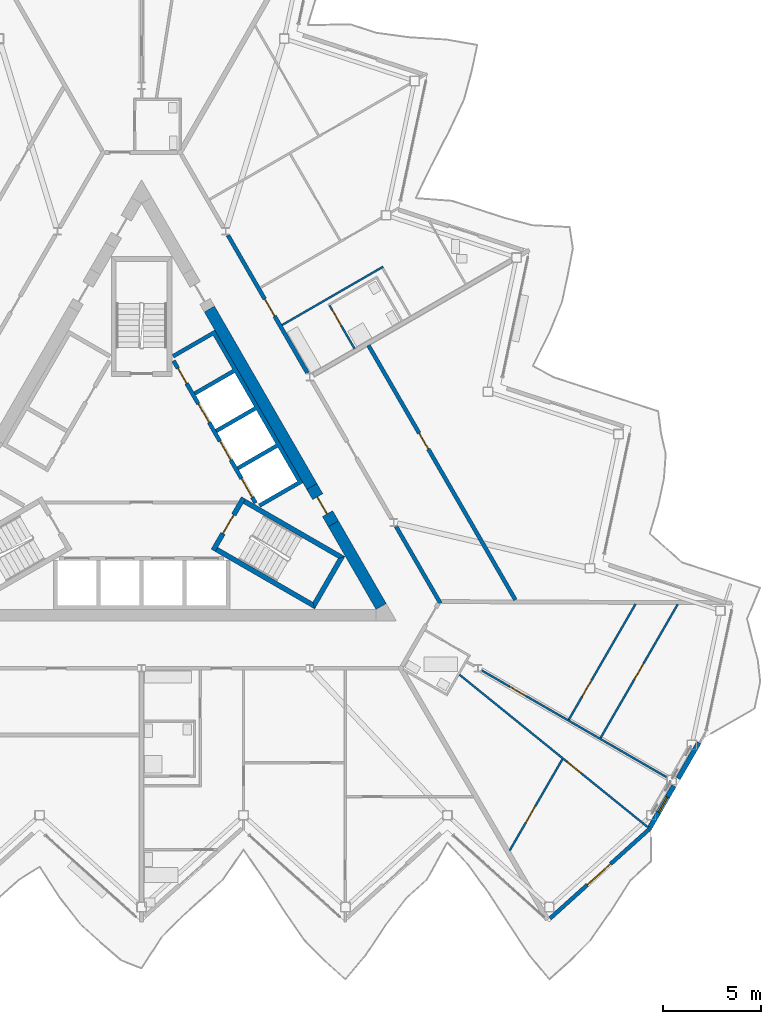
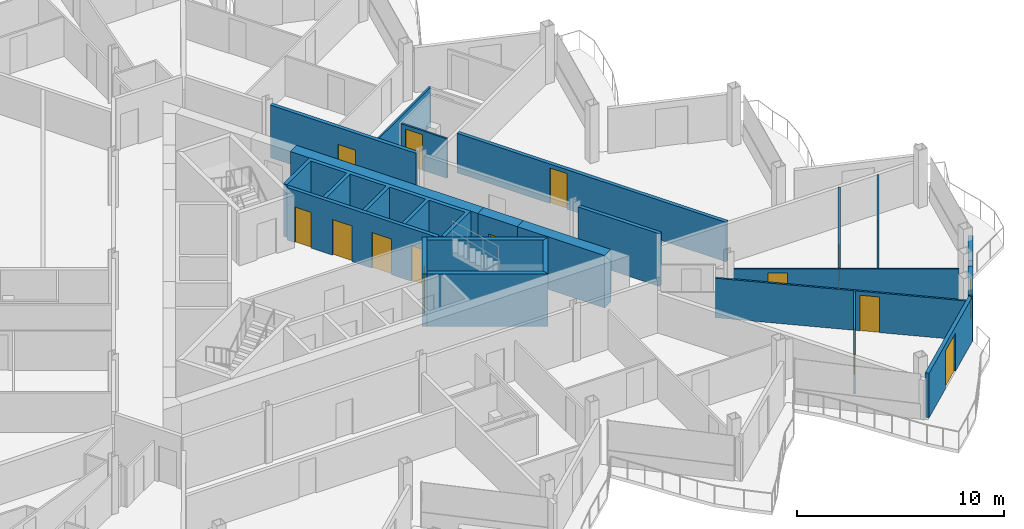
# One storey, part 15 of 26: 22 walls, 15 doors, 1 window, 16 openings.
"""IFC4 building model written with IfcOpenShell, lengths in metres."""

from ifc_helpers import new_model, si_unit, direction, frame, frame_2d, origin, place, context, subcontext, project, spatial, polyline, rectangle, outline, extrude, material, layer, layer_set, type_object, element, fill, save


model = new_model("IFC4")

# Units and contexts
model_context = context("Model", 3, precision=1e-05, world=origin(), true_north=direction((0.0, 1.0)))
body_context = subcontext(model_context, "Body", "Model", "MODEL_VIEW")
ifc_project = project(units=[si_unit("LENGTHUNIT", "METRE"), si_unit("AREAUNIT", "SQUARE_METRE"), si_unit("VOLUMEUNIT", "CUBIC_METRE"), si_unit("PLANEANGLEUNIT", "RADIAN"), si_unit("MASSUNIT", "GRAM", prefix="KILO")], contexts=[model_context])

# Site, building, storey
site_placement = place(None, origin())
site = spatial("IfcSite", under=ifc_project, at=site_placement, CompositionType="ELEMENT")
building_placement = place(site_placement, origin())
building = spatial("IfcBuilding", under=site, at=building_placement, Name="Cormorant Prow Tower", CompositionType="ELEMENT")
storey_placement = place(building_placement, frame((0.0, 0.0, 367.800048828125)))
storey = spatial("IfcBuildingStorey", under=building, at=storey_placement, Name="L82", CompositionType="ELEMENT", Elevation=367.800048828125)

# Walls
ifc_material_1 = material(Name="Concrete 8000 psi", Category="concrete")
ifc_layer_1 = layer(ifc_material_1, 0.60009765625)
ifc_layer_set_1 = layer_set([ifc_layer_1], Name="Concrete 8000 psi")
wall_type_1 = type_object("IfcWallType", Name="Core shear wall 600", PredefinedType="SHEAR", material=ifc_layer_set_1)
wall_1_placement = place(storey_placement, frame((8.686279296875, -0.6337890625, 0.0), z_axis=(0.0, 0.0, 1.0), x_axis=(-0.50001836461, 0.866014800712, 0.0)))
element("IfcWall", 1, at=wall_1_placement, inside=storey, type_object=wall_type_1, Name="Core wall", PredefinedType="SHEAR", context=body_context, shape_type="SweptSolid", body=[
    extrude(rectangle(XDim=10.45068359375, YDim=0.60009765625, at=frame_2d((5.225341796875, 0.0))), origin(), (0.0, 0.0, 1.0), 3.099853515625),
])
wall_2_placement = place(storey_placement, frame((12.220703125, -6.755615234375, 0.0), z_axis=(0.0, 0.0, 1.0), x_axis=(-0.50000604952, 0.866021911064, 0.0)))
element("IfcWall", 2, at=wall_2_placement, inside=storey, type_object=wall_type_1, Name="Core wall", PredefinedType="SHEAR", context=body_context, shape_type="SweptSolid", body=[
    extrude(rectangle(XDim=4.86865234375, YDim=0.60009765625, at=frame_2d((2.434326171875, 0.0))), origin(), (0.0, 0.0, 1.0), 3.099853515625),
])

# Wall, opening, door
wall_3_placement = place(storey_placement, frame((9.786376953125, -2.539306640625, 0.0), z_axis=(0.0, 0.0, 1.0), x_axis=(-0.499981787252, 0.866035918664, 0.0)))
wall_3 = element("IfcWall", 3, at=wall_3_placement, inside=storey, type_object=wall_type_1, Name="Core wall door panel", PredefinedType="SHEAR", context=body_context, shape_type="SweptSolid", body=[
    extrude(rectangle(XDim=2.2001953125, YDim=0.60009765625, at=frame_2d((1.10009765625, 0.0))), origin(), (0.0, 0.0, 1.0), 3.099853515625),
])
opening_1_placement = place(wall_3_placement, frame((0.60009765625, 0.0, 0.0)))
opening_1 = element("IfcOpeningElement", 4, at=opening_1_placement, cuts=wall_3, Name="Opening L82-C16", PredefinedType="OPENING", context=body_context, shape_type="SweptSolid", body=[
    extrude(rectangle(XDim=1.0, YDim=2.10009765625, at=frame_2d((0.5, 1.050048828125))), frame((0.0, 0.31005859375, 0.0), z_axis=(0.0, -1.0, 0.0), x_axis=(1.0, 0.0, 0.0)), (0.0, 0.0, 1.0), 0.6201171875),
])
ifc_material_2 = material(Name="Painted steel", Category="steel")
door_type_1 = type_object("IfcDoorType", Name="Service door 1000x2100", OperationType="NOTDEFINED", PredefinedType="DOOR", material=ifc_material_2)
door_1_placement = place(opening_1_placement, origin())
door_1 = element("IfcDoor", 5, at=door_1_placement, inside=storey, type_object=door_type_1, Name="Core door, Telecom room", OperationType="SINGLE_SWING_LEFT", OverallHeight=2.10009765625, OverallWidth=1.0, PredefinedType="DOOR", context=body_context, shape_type="SweptSolid", body=[
    extrude(rectangle(XDim=1.0, YDim=2.10009765625, at=frame_2d((0.5, 1.050048828125))), frame((0.0, 0.05517578125, 0.0), z_axis=(0.0, -1.0, 0.0), x_axis=(1.0, 0.0, 0.0)), (0.0, 0.0, 1.0), 0.050048828125),
])
fill(opening_1, door_1)

ifc_material_3 = material(Name="Gypsum board corridor wall")
ifc_layer_2 = layer(ifc_material_3, 0.199951171875)
ifc_layer_set_2 = layer_set([ifc_layer_2], Name="Gypsum board corridor wall")
wall_type_2 = type_object("IfcWallType", Name="Corridor wall 200", PredefinedType="PARTITIONING", material=ifc_layer_set_2)
wall_4_placement = place(storey_placement, frame((4.403076171875, 12.184814453125, 0.0), z_axis=(0.0, 0.0, 1.0), x_axis=(0.499992155518, -0.866029932751, 0.0)))
wall_4 = element("IfcWall", 6, at=wall_4_placement, inside=storey, type_object=wall_type_2, Name="Corridor wall", PredefinedType="PARTITIONING", context=body_context, shape_type="SweptSolid", body=[
    extrude(rectangle(XDim=8.123291015625, YDim=0.199951171875, at=frame_2d((4.0615234375, 0.0))), origin(), (0.0, 0.0, 1.0), 3.099853515625),
])
opening_2_placement = place(wall_4_placement, frame((3.762451171875, 0.0, 0.0)))
opening_2 = element("IfcOpeningElement", 7, at=opening_2_placement, cuts=wall_4, Name="Opening L82-F20", PredefinedType="OPENING", context=body_context, shape_type="SweptSolid", body=[
    extrude(rectangle(XDim=1.0, YDim=2.10009765625, at=frame_2d((0.5, 1.050048828125))), frame((0.0, 0.10986328125, 0.0), z_axis=(0.0, -1.0, 0.0), x_axis=(1.0, 0.0, 0.0)), (0.0, 0.0, 1.0), 0.219970703125),
])
ifc_material_4 = material(Name="Timber door leaf", Category="wood")
door_type_2 = type_object("IfcDoorType", Name="Flat or room entrance door 1000x2100", OperationType="NOTDEFINED", PredefinedType="DOOR", material=ifc_material_4)
door_2_placement = place(opening_2_placement, origin())
door_2 = element("IfcDoor", 8, at=door_2_placement, inside=storey, type_object=door_type_2, Name="Living room door", OperationType="SINGLE_SWING_LEFT", OverallHeight=2.10009765625, OverallWidth=1.0, PredefinedType="DOOR", context=body_context, shape_type="SweptSolid", body=[
    extrude(rectangle(XDim=1.0, YDim=2.10009765625, at=frame_2d((0.5, 1.050048828125))), frame((0.0, 0.02490234375, 0.0), z_axis=(0.0, -1.0, 0.0), x_axis=(1.0, 0.0, 0.0)), (0.0, 0.0, 1.0), 0.050048828125),
])
fill(opening_2, door_2)

# Wall
wall_5_placement = place(storey_placement, frame((12.9814453125, -2.67333984375, 0.0), z_axis=(0.0, 0.0, 1.0), x_axis=(0.499974648164, -0.866040040179, 0.0)))
element("IfcWall", 9, at=wall_5_placement, inside=storey, type_object=wall_type_2, Name="Corridor wall", PredefinedType="PARTITIONING", context=body_context, shape_type="SweptSolid", body=[
    extrude(rectangle(XDim=4.525146484375, YDim=0.199951171875, at=frame_2d((2.2626953125, 0.0))), origin(), (0.0, 0.0, 1.0), 3.099853515625),
])

# Wall, opening, door
ifc_material_5 = material(Name="Gypsum board demising wall")
ifc_layer_3 = layer(ifc_material_5, 0.199951171875)
ifc_layer_set_3 = layer_set([ifc_layer_3], Name="Gypsum board demising wall")
wall_type_3 = type_object("IfcWallType", Name="Demising wall 200", PredefinedType="PARTITIONING", material=ifc_layer_set_3)
wall_6_placement = place(storey_placement, frame((11.572998046875, 6.566162109375, 0.0), z_axis=(0.0, 0.0, 1.0), x_axis=(0.499993542657, -0.866029131901, 0.0)))
wall_6 = element("IfcWall", 10, at=wall_6_placement, inside=storey, type_object=wall_type_3, Name="Demising wall", PredefinedType="PARTITIONING", context=body_context, shape_type="SweptSolid", body=[
    extrude(rectangle(XDim=14.993896484375, YDim=0.199951171875, at=frame_2d((7.4970703125, 0.0))), origin(), (0.0, 0.0, 1.0), 2.330078125),
])
opening_3_placement = place(wall_6_placement, frame((5.166015625, 0.0, 0.0)))
opening_3 = element("IfcOpeningElement", 11, at=opening_3_placement, cuts=wall_6, Name="Opening L82-F19", PredefinedType="OPENING", context=body_context, shape_type="SweptSolid", body=[
    extrude(rectangle(XDim=0.949951171875, YDim=2.10009765625, at=frame_2d((0.47509765625, 1.050048828125))), frame((0.0, 0.10986328125, 0.0), z_axis=(0.0, -1.0, 0.0), x_axis=(1.0, 0.0, 0.0)), (0.0, 0.0, 1.0), 0.219970703125),
])
ifc_material_6 = material(Name="Timber door leaf", Category="wood")
door_type_3 = type_object("IfcDoorType", Name="Store door 950x2100", OperationType="NOTDEFINED", PredefinedType="DOOR", material=ifc_material_6)
door_3_placement = place(opening_3_placement, origin())
door_3 = element("IfcDoor", 12, at=door_3_placement, inside=storey, type_object=door_type_3, Name="Refuse room door", OperationType="SINGLE_SWING_RIGHT", OverallHeight=2.10009765625, OverallWidth=0.949951171875, PredefinedType="DOOR", context=body_context, shape_type="SweptSolid", body=[
    extrude(rectangle(XDim=0.949951171875, YDim=2.10009765625, at=frame_2d((0.47509765625, 1.050048828125))), frame((0.0, 0.02490234375, 0.0), z_axis=(0.0, -1.0, 0.0), x_axis=(1.0, 0.0, 0.0)), (0.0, 0.0, 1.0), 0.050048828125),
])
fill(opening_3, door_3)

ifc_material_7 = material(Name="Gypsum board partition")
ifc_layer_4 = layer(ifc_material_7, 0.10009765625)
ifc_layer_set_4 = layer_set([ifc_layer_4], Name="Gypsum board partition")
wall_type_4 = type_object("IfcWallType", Name="Internal partition 100", PredefinedType="PARTITIONING", material=ifc_layer_set_4)
wall_7_placement = place(storey_placement, frame((16.2158203125, -10.234130859375, 0.0), z_axis=(0.0, 0.0, 1.0), x_axis=(0.777145059662, -0.629321504672, 0.0)))
wall_7 = element("IfcWall", 13, at=wall_7_placement, inside=storey, type_object=wall_type_4, Name="Internal partition", PredefinedType="PARTITIONING", context=body_context, shape_type="SweptSolid", body=[
    extrude(rectangle(XDim=12.58984375, YDim=0.10009765625, at=frame_2d((6.294921875, 0.0))), origin(), (0.0, 0.0, 1.0), 2.330078125),
])
opening_4_placement = place(wall_7_placement, frame((7.074462890625, 0.0, 0.0)))
opening_4 = element("IfcOpeningElement", 14, at=opening_4_placement, cuts=wall_7, Name="Opening L82-F16", PredefinedType="OPENING", context=body_context, shape_type="SweptSolid", body=[
    extrude(rectangle(XDim=0.949951171875, YDim=2.10009765625, at=frame_2d((0.47509765625, 1.050048828125))), frame((0.0, 0.06005859375, 0.0), z_axis=(0.0, -1.0, 0.0), x_axis=(1.0, 0.0, 0.0)), (0.0, 0.0, 1.0), 0.1201171875),
])
ifc_material_8 = material(Name="Timber door leaf", Category="wood")
door_type_4 = type_object("IfcDoorType", Name="Bathroom door 950x2100", OperationType="NOTDEFINED", PredefinedType="DOOR", material=ifc_material_8)
door_4_placement = place(opening_4_placement, origin())
door_4 = element("IfcDoor", 15, at=door_4_placement, inside=storey, type_object=door_type_4, Name="Bedroom door", OperationType="SINGLE_SWING_LEFT", OverallHeight=2.10009765625, OverallWidth=0.949951171875, PredefinedType="DOOR", context=body_context, shape_type="SweptSolid", body=[
    extrude(rectangle(XDim=0.949951171875, YDim=2.10009765625, at=frame_2d((0.47509765625, 1.050048828125))), frame((0.0, 0.02490234375, 0.0), z_axis=(0.0, -1.0, 0.0), x_axis=(1.0, 0.0, 0.0)), (0.0, 0.0, 1.0), 0.050048828125),
])
fill(opening_4, door_4)

wall_8_placement = place(storey_placement, frame((17.35400390625, -10.019287109375, 0.0), z_axis=(0.0, 0.0, 1.0), x_axis=(0.866019680922, -0.500009912158, 0.0)))
wall_8 = element("IfcWall", 16, at=wall_8_placement, inside=storey, type_object=wall_type_4, Name="Internal partition", PredefinedType="PARTITIONING", context=body_context, shape_type="SweptSolid", body=[
    extrude(rectangle(XDim=10.880615234375, YDim=0.10009765625, at=frame_2d((5.4404296875, 0.0))), origin(), (0.0, 0.0, 1.0), 2.330078125),
])
opening_5_placement = place(wall_8_placement, frame((1.654541015625, 0.0, 0.0)))
opening_5 = element("IfcOpeningElement", 17, at=opening_5_placement, cuts=wall_8, Name="Opening L82-F15", PredefinedType="OPENING", context=body_context, shape_type="SweptSolid", body=[
    extrude(rectangle(XDim=0.949951171875, YDim=2.10009765625, at=frame_2d((0.47509765625, 1.050048828125))), frame((0.0, 0.06005859375, 0.0), z_axis=(0.0, -1.0, 0.0), x_axis=(1.0, 0.0, 0.0)), (0.0, 0.0, 1.0), 0.1201171875),
])
door_5_placement = place(opening_5_placement, origin())
door_5 = element("IfcDoor", 18, at=door_5_placement, inside=storey, type_object=door_type_4, Name="Living room door", OperationType="SINGLE_SWING_LEFT", OverallHeight=2.10009765625, OverallWidth=0.949951171875, PredefinedType="DOOR", context=body_context, shape_type="SweptSolid", body=[
    extrude(rectangle(XDim=0.949951171875, YDim=2.10009765625, at=frame_2d((0.47509765625, 1.050048828125))), frame((0.0, 0.02490234375, 0.0), z_axis=(0.0, -1.0, 0.0), x_axis=(1.0, 0.0, 0.0)), (0.0, 0.0, 1.0), 0.050048828125),
])
fill(opening_5, door_5)

wall_9_placement = place(storey_placement, frame((23.4150390625, -13.4609375, 0.0), z_axis=(0.0, 0.0, 1.0), x_axis=(0.500011483804, 0.866018773506, 0.0)))
wall_9 = element("IfcWall", 19, at=wall_9_placement, inside=storey, type_object=wall_type_4, Name="Internal partition", PredefinedType="PARTITIONING", context=body_context, shape_type="SweptSolid", body=[
    extrude(rectangle(XDim=7.872314453125, YDim=0.10009765625, at=frame_2d((3.93603515625, 0.0))), origin(), (0.0, 0.0, 1.0), 2.330078125),
])
opening_6_placement = place(wall_9_placement, frame((3.461181640625, 0.0, 0.0)))
opening_6 = element("IfcOpeningElement", 20, at=opening_6_placement, cuts=wall_9, Name="Opening L82-F14", PredefinedType="OPENING", context=body_context, shape_type="SweptSolid", body=[
    extrude(rectangle(XDim=0.949951171875, YDim=2.10009765625, at=frame_2d((0.47509765625, 1.050048828125))), frame((0.0, 0.06005859375, 0.0), z_axis=(0.0, -1.0, 0.0), x_axis=(1.0, 0.0, 0.0)), (0.0, 0.0, 1.0), 0.1201171875),
])
door_6_placement = place(opening_6_placement, origin())
door_6 = element("IfcDoor", 21, at=door_6_placement, inside=storey, type_object=door_type_4, Name="Kitchen door", OperationType="SINGLE_SWING_LEFT", OverallHeight=2.10009765625, OverallWidth=0.949951171875, PredefinedType="DOOR", context=body_context, shape_type="SweptSolid", body=[
    extrude(rectangle(XDim=0.949951171875, YDim=2.10009765625, at=frame_2d((0.47509765625, 1.050048828125))), frame((0.0, 0.02490234375, 0.0), z_axis=(0.0, -1.0, 0.0), x_axis=(1.0, 0.0, 0.0)), (0.0, 0.0, 1.0), 0.050048828125),
])
fill(opening_6, door_6)

wall_10_placement = place(storey_placement, frame((21.7958984375, -12.526123046875, 0.0), z_axis=(0.0, 0.0, 1.0), x_axis=(0.499994777381, 0.866028419044, 0.0)))
wall_10 = element("IfcWall", 22, at=wall_10_placement, inside=storey, type_object=wall_type_4, Name="Internal partition", PredefinedType="PARTITIONING", context=body_context, shape_type="SweptSolid", body=[
    extrude(rectangle(XDim=6.80322265625, YDim=0.10009765625, at=frame_2d((3.401611328125, 0.0))), origin(), (0.0, 0.0, 1.0), 2.330078125),
])
opening_7_placement = place(wall_10_placement, frame((1.361083984375, 0.0, 0.0)))
opening_7 = element("IfcOpeningElement", 23, at=opening_7_placement, cuts=wall_10, Name="Opening L82-F13", PredefinedType="OPENING", context=body_context, shape_type="SweptSolid", body=[
    extrude(rectangle(XDim=0.949951171875, YDim=2.10009765625, at=frame_2d((0.47509765625, 1.050048828125))), frame((0.0, 0.06005859375, 0.0), z_axis=(0.0, -1.0, 0.0), x_axis=(1.0, 0.0, 0.0)), (0.0, 0.0, 1.0), 0.1201171875),
])
door_7_placement = place(opening_7_placement, origin())
door_7 = element("IfcDoor", 24, at=door_7_placement, inside=storey, type_object=door_type_4, Name="Living room door", OperationType="SINGLE_SWING_RIGHT", OverallHeight=2.10009765625, OverallWidth=0.949951171875, PredefinedType="DOOR", context=body_context, shape_type="SweptSolid", body=[
    extrude(rectangle(XDim=0.949951171875, YDim=2.10009765625, at=frame_2d((0.47509765625, 1.050048828125))), frame((0.0, 0.02490234375, 0.0), z_axis=(0.0, -1.0, 0.0), x_axis=(1.0, 0.0, 0.0)), (0.0, 0.0, 1.0), 0.050048828125),
])
fill(opening_7, door_7)

# Wall
wall_11_placement = place(storey_placement, frame((7.1650390625, 7.600830078125, 0.0), z_axis=(0.0, 0.0, 1.0), x_axis=(0.866017493347, 0.500013701029, 0.0)))
element("IfcWall", 25, at=wall_11_placement, inside=storey, type_object=wall_type_4, Name="Internal partition", PredefinedType="PARTITIONING", context=body_context, shape_type="SweptSolid", body=[
    extrude(rectangle(XDim=5.949951171875, YDim=0.10009765625, at=frame_2d((2.97509765625, 0.0))), origin(), (0.0, 0.0, 1.0), 2.330078125),
])

# Wall, opening, door
wall_12_placement = place(storey_placement, frame((18.7783203125, -19.2060546875, 0.0), z_axis=(0.0, 0.0, 1.0), x_axis=(0.499992359988, 0.866029814703, 0.0)))
wall_12 = element("IfcWall", 26, at=wall_12_placement, inside=storey, type_object=wall_type_4, Name="Internal partition", PredefinedType="PARTITIONING", context=body_context, shape_type="SweptSolid", body=[
    extrude(rectangle(XDim=5.37646484375, YDim=0.10009765625, at=frame_2d((2.688232421875, 0.0))), origin(), (0.0, 0.0, 1.0), 2.330078125),
])
opening_8_placement = place(wall_12_placement, frame((1.659423828125, 0.0, 0.0)))
opening_8 = element("IfcOpeningElement", 27, at=opening_8_placement, cuts=wall_12, Name="Opening L82-F17", PredefinedType="OPENING", context=body_context, shape_type="SweptSolid", body=[
    extrude(rectangle(XDim=0.949951171875, YDim=2.10009765625, at=frame_2d((0.47509765625, 1.050048828125))), frame((0.0, 0.06005859375, 0.0), z_axis=(0.0, -1.0, 0.0), x_axis=(1.0, 0.0, 0.0)), (0.0, 0.0, 1.0), 0.1201171875),
])
door_8_placement = place(opening_8_placement, origin())
door_8 = element("IfcDoor", 28, at=door_8_placement, inside=storey, type_object=door_type_4, Name="Bedroom door", OperationType="SINGLE_SWING_LEFT", OverallHeight=2.10009765625, OverallWidth=0.949951171875, PredefinedType="DOOR", context=body_context, shape_type="SweptSolid", body=[
    extrude(rectangle(XDim=0.949951171875, YDim=2.10009765625, at=frame_2d((0.47509765625, 1.050048828125))), frame((0.0, 0.02490234375, 0.0), z_axis=(0.0, -1.0, 0.0), x_axis=(1.0, 0.0, 0.0)), (0.0, 0.0, 1.0), 0.050048828125),
])
fill(opening_8, door_8)

wall_13_placement = place(storey_placement, frame((9.591796875, 8.59765625, 0.0), z_axis=(0.0, 0.0, 1.0), x_axis=(0.499990435942, -0.866030925526, 0.0)))
wall_13 = element("IfcWall", 29, at=wall_13_placement, inside=storey, type_object=wall_type_4, Name="Internal partition", PredefinedType="PARTITIONING", context=body_context, shape_type="SweptSolid", body=[
    extrude(rectangle(XDim=2.5498046875, YDim=0.10009765625, at=frame_2d((1.27490234375, 0.0))), origin(), (0.0, 0.0, 1.0), 2.330078125),
])
opening_9_placement = place(wall_13_placement, frame((0.25, 0.0, 0.0)))
opening_9 = element("IfcOpeningElement", 30, at=opening_9_placement, cuts=wall_13, Name="Opening L82-F27", PredefinedType="OPENING", context=body_context, shape_type="SweptSolid", body=[
    extrude(rectangle(XDim=0.949951171875, YDim=2.10009765625, at=frame_2d((0.47509765625, 1.050048828125))), frame((0.0, 0.06005859375, 0.0), z_axis=(0.0, -1.0, 0.0), x_axis=(1.0, 0.0, 0.0)), (0.0, 0.0, 1.0), 0.1201171875),
])
door_9_placement = place(opening_9_placement, origin())
door_9 = element("IfcDoor", 31, at=door_9_placement, inside=storey, type_object=door_type_4, Name="Kitchen door", OperationType="SINGLE_SWING_LEFT", OverallHeight=2.10009765625, OverallWidth=0.949951171875, PredefinedType="DOOR", context=body_context, shape_type="SweptSolid", body=[
    extrude(rectangle(XDim=0.949951171875, YDim=2.10009765625, at=frame_2d((0.47509765625, 1.050048828125))), frame((0.0, 0.02490234375, 0.0), z_axis=(0.0, -1.0, 0.0), x_axis=(1.0, 0.0, 0.0)), (0.0, 0.0, 1.0), 0.050048828125),
])
fill(opening_9, door_9)

# Wall, openings, doors
ifc_material_9 = material(Name="Concrete 5000 psi", Category="concrete")
ifc_layer_5 = layer(ifc_material_9, 0.199951171875)
ifc_layer_set_5 = layer_set([ifc_layer_5], Name="Concrete 5000 psi")
wall_type_5 = type_object("IfcWallType", Name="Lift lobby wall 200", PredefinedType="SOLIDWALL", material=ifc_layer_set_5)
wall_14_placement = place(storey_placement, frame((5.817138671875, -1.4755859375, 0.0), z_axis=(0.0, 0.0, 1.0), x_axis=(-0.500002616675, 0.866023893041, 0.0)))
wall_14 = element("IfcWall", 32, at=wall_14_placement, inside=storey, type_object=wall_type_5, Name="Lift lobby wall, ENE block", PredefinedType="SOLIDWALL", context=body_context, shape_type="SweptSolid", body=[
    extrude(rectangle(XDim=8.373046875, YDim=0.199951171875, at=frame_2d((4.1865234375, 0.0))), origin(), (0.0, 0.0, 1.0), 3.099853515625),
])
opening_10_placement = place(wall_14_placement, frame((0.336669921875, 0.0, 0.0)))
opening_10 = element("IfcOpeningElement", 33, at=opening_10_placement, cuts=wall_14, Name="Opening L82-C05", PredefinedType="OPENING", context=body_context, shape_type="SweptSolid", body=[
    extrude(rectangle(XDim=1.10009765625, YDim=2.10009765625, at=frame_2d((0.550048828125, 1.050048828125))), frame((0.0, 0.10986328125, 0.0), z_axis=(0.0, -1.0, 0.0), x_axis=(1.0, 0.0, 0.0)), (0.0, 0.0, 1.0), 0.219970703125),
])
opening_11_placement = place(wall_14_placement, frame((2.53662109375, 0.0, 0.0)))
opening_11 = element("IfcOpeningElement", 34, at=opening_11_placement, cuts=wall_14, Name="Opening L82-C06", PredefinedType="OPENING", context=body_context, shape_type="SweptSolid", body=[
    extrude(rectangle(XDim=1.10009765625, YDim=2.10009765625, at=frame_2d((0.550048828125, 1.050048828125))), frame((0.0, 0.10986328125, 0.0), z_axis=(0.0, -1.0, 0.0), x_axis=(1.0, 0.0, 0.0)), (0.0, 0.0, 1.0), 0.219970703125),
])
opening_12_placement = place(wall_14_placement, frame((4.736572265625, 0.0, 0.0)))
opening_12 = element("IfcOpeningElement", 35, at=opening_12_placement, cuts=wall_14, Name="Opening L82-C07", PredefinedType="OPENING", context=body_context, shape_type="SweptSolid", body=[
    extrude(rectangle(XDim=1.10009765625, YDim=2.10009765625, at=frame_2d((0.550048828125, 1.050048828125))), frame((0.0, 0.10986328125, 0.0), z_axis=(0.0, -1.0, 0.0), x_axis=(1.0, 0.0, 0.0)), (0.0, 0.0, 1.0), 0.219970703125),
])
opening_13_placement = place(wall_14_placement, frame((7.03662109375, 0.0, 0.0)))
opening_13 = element("IfcOpeningElement", 36, at=opening_13_placement, cuts=wall_14, Name="Opening L82-C08", PredefinedType="OPENING", context=body_context, shape_type="SweptSolid", body=[
    extrude(rectangle(XDim=0.89990234375, YDim=2.10009765625, at=frame_2d((0.449951171875, 1.050048828125))), frame((0.0, 0.10986328125, 0.0), z_axis=(0.0, -1.0, 0.0), x_axis=(1.0, 0.0, 0.0)), (0.0, 0.0, 1.0), 0.219970703125),
])
ifc_material_10 = material(Name="Painted steel", Category="steel")
door_type_5 = type_object("IfcDoorType", Name="Lift landing door 1100x2100", OperationType="SLIDING_TO_LEFT", PredefinedType="DOOR", material=ifc_material_10)
door_10_placement = place(opening_10_placement, origin())
door_10 = element("IfcDoor", 37, at=door_10_placement, inside=storey, type_object=door_type_5, Name="Landing door HR2", OperationType="SLIDING_TO_LEFT", OverallHeight=2.10009765625, OverallWidth=1.10009765625, PredefinedType="DOOR", context=body_context, shape_type="SweptSolid", body=[
    extrude(rectangle(XDim=1.10009765625, YDim=2.10009765625, at=frame_2d((0.550048828125, 1.050048828125))), frame((0.0, 0.02490234375, 0.0), z_axis=(0.0, -1.0, 0.0), x_axis=(1.0, 0.0, 0.0)), (0.0, 0.0, 1.0), 0.050048828125),
])
fill(opening_10, door_10)
door_11_placement = place(opening_11_placement, origin())
door_11 = element("IfcDoor", 38, at=door_11_placement, inside=storey, type_object=door_type_5, Name="Landing door HR3", OperationType="SLIDING_TO_LEFT", OverallHeight=2.10009765625, OverallWidth=1.10009765625, PredefinedType="DOOR", context=body_context, shape_type="SweptSolid", body=[
    extrude(rectangle(XDim=1.10009765625, YDim=2.10009765625, at=frame_2d((0.550048828125, 1.050048828125))), frame((0.0, 0.02490234375, 0.0), z_axis=(0.0, -1.0, 0.0), x_axis=(1.0, 0.0, 0.0)), (0.0, 0.0, 1.0), 0.050048828125),
])
fill(opening_11, door_11)
door_12_placement = place(opening_12_placement, origin())
door_12 = element("IfcDoor", 39, at=door_12_placement, inside=storey, type_object=door_type_5, Name="Landing door HR4", OperationType="SLIDING_TO_LEFT", OverallHeight=2.10009765625, OverallWidth=1.10009765625, PredefinedType="DOOR", context=body_context, shape_type="SweptSolid", body=[
    extrude(rectangle(XDim=1.10009765625, YDim=2.10009765625, at=frame_2d((0.550048828125, 1.050048828125))), frame((0.0, 0.02490234375, 0.0), z_axis=(0.0, -1.0, 0.0), x_axis=(1.0, 0.0, 0.0)), (0.0, 0.0, 1.0), 0.050048828125),
])
fill(opening_12, door_12)
ifc_material_11 = material(Name="Painted steel", Category="steel")
door_type_6 = type_object("IfcDoorType", Name="Service door 900x2100", OperationType="NOTDEFINED", PredefinedType="DOOR", material=ifc_material_11)
door_13_placement = place(opening_13_placement, origin())
door_13 = element("IfcDoor", 40, at=door_13_placement, inside=storey, type_object=door_type_6, Name="Service door, Telecom room", OperationType="SINGLE_SWING_RIGHT", OverallHeight=2.10009765625, OverallWidth=0.89990234375, PredefinedType="DOOR", context=body_context, shape_type="SweptSolid", body=[
    extrude(rectangle(XDim=0.89990234375, YDim=2.10009765625, at=frame_2d((0.449951171875, 1.050048828125))), frame((0.0, 0.02490234375, 0.0), z_axis=(0.0, -1.0, 0.0), x_axis=(1.0, 0.0, 0.0)), (0.0, 0.0, 1.0), 0.050048828125),
])
fill(opening_13, door_13)

# Walls
ifc_material_12 = material(Name="Concrete 8000 psi", Category="concrete")
ifc_layer_6 = layer(ifc_material_12, 0.199951171875)
ifc_layer_set_6 = layer_set([ifc_layer_6], Name="Concrete 8000 psi")
wall_type_6 = type_object("IfcWallType", Name="Lift shaft wall 200", PredefinedType="SHEAR", material=ifc_layer_set_6)
wall_15_placement = place(storey_placement, origin())
element("IfcWall", 41, at=wall_15_placement, inside=storey, type_object=wall_type_6, Name="Lift shaft walls, ENE block", PredefinedType="SHEAR", context=body_context, shape_type="SweptSolid", body=[
    extrude(outline(polyline([(1.560546875, 6.09716796875), (3.730712890625, 7.35009765625), (8.230712890625, -0.444091796875), (6.060546875, -1.697021484375), (5.96044921875, -1.52392578125), (7.952392578125, -0.373779296875), (6.952392578125, 1.358154296875), (4.96044921875, 0.2080078125), (4.860595703125, 0.38134765625), (6.852294921875, 1.53125), (5.852294921875, 3.263427734375), (3.860595703125, 2.11328125), (3.760498046875, 2.28662109375), (5.75244140625, 3.4365234375), (4.75244140625, 5.168701171875), (2.760498046875, 4.018798828125), (2.660400390625, 4.19189453125), (4.65234375, 5.341796875), (3.65234375, 7.073974609375), (1.660400390625, 5.923828125), (1.560546875, 6.09716796875)])), origin(), (0.0, 0.0, 1.0), 3.099853515625),
])
ifc_material_13 = material(Name="Concrete 8000 psi", Category="concrete")
ifc_layer_7 = layer(ifc_material_13, 0.25)
ifc_layer_set_7 = layer_set([ifc_layer_7], Name="Concrete 8000 psi")
wall_type_7 = type_object("IfcWallType", Name="Stair wall 250", PredefinedType="SHEAR", material=ifc_layer_set_7)
wall_16_placement = place(storey_placement, origin())
element("IfcWall", 42, at=wall_16_placement, inside=storey, type_object=wall_type_7, Name="Stair ST2 enclosure wall (flank)", PredefinedType="SHEAR", context=body_context, shape_type="SweptSolid", body=[
    extrude(outline(polyline([(3.76318359375, -3.95556640625), (8.82958984375, -6.880615234375), (8.738037109375, -6.5390625), (3.88818359375, -3.739013671875), (3.76318359375, -3.95556640625)])), origin(), (0.0, 0.0, 1.0), 3.099853515625),
])
wall_17_placement = place(storey_placement, origin())
element("IfcWall", 43, at=wall_17_placement, inside=storey, type_object=wall_type_7, Name="Stair ST2 enclosure wall (end)", PredefinedType="SHEAR", context=body_context, shape_type="SweptSolid", body=[
    extrude(outline(polyline([(8.82958984375, -6.880615234375), (10.37353515625, -4.206298828125), (10.031982421875, -4.2978515625), (8.738037109375, -6.5390625), (8.82958984375, -6.880615234375)])), origin(), (0.0, 0.0, 1.0), 3.099853515625),
])
wall_18_placement = place(storey_placement, origin())
element("IfcWall", 44, at=wall_18_placement, inside=storey, type_object=wall_type_7, Name="Stair ST2 enclosure wall (flank)", PredefinedType="SHEAR", context=body_context, shape_type="SweptSolid", body=[
    extrude(outline(polyline([(10.031982421875, -4.2978515625), (10.37353515625, -4.206298828125), (5.30712890625, -1.28125), (5.18212890625, -1.497802734375), (10.031982421875, -4.2978515625)])), origin(), (0.0, 0.0, 1.0), 3.099853515625),
])

# Wall, opening, door
wall_19_placement = place(storey_placement, frame((3.655029296875, -3.89306640625, 0.0), z_axis=(0.0, 0.0, 1.0), x_axis=(0.499982516597, 0.866035497597, 0.0)))
wall_19 = element("IfcWall", 45, at=wall_19_placement, inside=storey, type_object=wall_type_7, Name="Stair ST2 door wall", PredefinedType="SHEAR", context=body_context, shape_type="SweptSolid", body=[
    extrude(rectangle(XDim=3.087890625, YDim=0.25, at=frame_2d((1.5439453125, 0.0))), origin(), (0.0, 0.0, 1.0), 3.099853515625),
])
opening_14_placement = place(wall_19_placement, frame((0.993896484375, 0.0, 0.0)))
opening_14 = element("IfcOpeningElement", 46, at=opening_14_placement, cuts=wall_19, Name="Opening L82-C13", PredefinedType="OPENING", context=body_context, shape_type="SweptSolid", body=[
    extrude(rectangle(XDim=1.10009765625, YDim=2.10009765625, at=frame_2d((0.550048828125, 1.050048828125))), frame((0.0, 0.135009765625, 0.0), z_axis=(0.0, -1.0, 0.0), x_axis=(1.0, 0.0, 0.0)), (0.0, 0.0, 1.0), 0.27001953125),
])
ifc_material_14 = material(Name="Painted steel", Category="steel")
door_type_7 = type_object("IfcDoorType", Name="Stair door 1100x2100", OperationType="NOTDEFINED", PredefinedType="DOOR", material=ifc_material_14)
door_14_placement = place(opening_14_placement, origin())
door_14 = element("IfcDoor", 47, at=door_14_placement, inside=storey, type_object=door_type_7, Name="Stair ST2 door", OperationType="SINGLE_SWING_RIGHT", OverallHeight=2.10009765625, OverallWidth=1.10009765625, PredefinedType="DOOR", context=body_context, shape_type="SweptSolid", body=[
    extrude(rectangle(XDim=1.10009765625, YDim=2.10009765625, at=frame_2d((0.550048828125, 1.050048828125))), frame((0.0, 0.02490234375, 0.0), z_axis=(0.0, -1.0, 0.0), x_axis=(1.0, 0.0, 0.0)), (0.0, 0.0, 1.0), 0.050048828125),
])
fill(opening_14, door_14)

# Wall, opening, window
ifc_material_15 = material(Name="Terracotta", Category="masonry")
ifc_layer_8 = layer(ifc_material_15, 0.25)
ifc_layer_set_8 = layer_set([ifc_layer_8], Name="Terracotta")
wall_type_8 = type_object("IfcWallType", Name="Terracotta bay wall 250", PredefinedType="SOLIDWALL", material=ifc_layer_set_8)
wall_20_placement = place(storey_placement, frame((25.934814453125, -18.02001953125, 0.0), z_axis=(0.0, 0.0, 1.0), x_axis=(0.500028873844, 0.866008732821, 0.0)))
wall_20 = element("IfcWall", 48, at=wall_20_placement, inside=storey, type_object=wall_type_8, Name="Terracotta bay wall ESE00", PredefinedType="SOLIDWALL", context=body_context, shape_type="SweptSolid", body=[
    extrude(rectangle(XDim=2.436767578125, YDim=0.25, at=frame_2d((1.21826171875, 0.0))), origin(), (0.0, 0.0, 1.0), 2.6337890625),
])
opening_15_placement = place(wall_20_placement, frame((0.879638671875, 0.0, 0.60009765625)))
opening_15 = element("IfcOpeningElement", 49, at=opening_15_placement, cuts=wall_20, Name="Opening WN9", PredefinedType="OPENING", context=body_context, shape_type="SweptSolid", body=[
    extrude(rectangle(XDim=0.89990234375, YDim=1.800048828125, at=frame_2d((0.449951171875, 0.89990234375))), frame((0.0, 0.135009765625, 0.0), z_axis=(0.0, -1.0, 0.0), x_axis=(1.0, 0.0, 0.0)), (0.0, 0.0, 1.0), 0.27001953125),
])
ifc_material_16 = material(Name="Aluminium 6063-T6", Category="aluminium")
window_type = type_object("IfcWindowType", Name="Corner bay window 900x1800", PartitioningType="SINGLE_PANEL", PredefinedType="WINDOW", material=ifc_material_16)
window_placement = place(opening_15_placement, origin())
window = element("IfcWindow", 50, at=window_placement, inside=storey, type_object=window_type, Name="Corner bay window ESE00", OverallHeight=1.800048828125, OverallWidth=0.89990234375, PartitioningType="SINGLE_PANEL", PredefinedType="WINDOW", context=body_context, shape_type="SweptSolid", body=[
    extrude(rectangle(XDim=0.89990234375, YDim=1.800048828125, at=frame_2d((0.449951171875, 0.89990234375))), frame((0.0, 0.030029296875, 0.0), z_axis=(0.0, -1.0, 0.0), x_axis=(1.0, 0.0, 0.0)), (0.0, 0.0, 1.0), 0.06005859375),
])
fill(opening_15, window)

# Wall
wall_21_placement = place(storey_placement, frame((27.37353515625, -15.5283203125, 0.0), z_axis=(0.0, 0.0, 1.0), x_axis=(0.499941779639, 0.866059014716, 0.0)))
element("IfcWall", 51, at=wall_21_placement, inside=storey, type_object=wall_type_8, Name="Terracotta bay wall ESE01", PredefinedType="SOLIDWALL", context=body_context, shape_type="SweptSolid", body=[
    extrude(rectangle(XDim=2.119873046875, YDim=0.25, at=frame_2d((1.06005859375, 0.0))), origin(), (0.0, 0.0, 1.0), 2.6337890625),
])

# Wall, opening, door
ifc_material_17 = material(Name="Terracotta", Category="masonry")
ifc_layer_9 = layer(ifc_material_17, 0.199951171875)
ifc_layer_set_9 = layer_set([ifc_layer_9], Name="Terracotta")
wall_type_9 = type_object("IfcWallType", Name="Terracotta jamb wall 200", PredefinedType="SOLIDWALL", material=ifc_layer_set_9)
wall_22_placement = place(storey_placement, frame((20.836669921875, -22.671875, 0.0), z_axis=(0.0, 0.0, 1.0), x_axis=(0.743143698099, 0.669131858437, 0.0)))
wall_22 = element("IfcWall", 52, at=wall_22_placement, inside=storey, type_object=wall_type_9, Name="Terracotta jamb wall S09", PredefinedType="SOLIDWALL", context=body_context, shape_type="SweptSolid", body=[
    extrude(rectangle(XDim=6.77880859375, YDim=0.199951171875, at=frame_2d((3.389404296875, 0.0))), origin(), (0.0, 0.0, 1.0), 2.6337890625),
])
opening_16_placement = place(wall_22_placement, frame((2.559326171875, 0.0, 0.0)))
opening_16 = element("IfcOpeningElement", 53, at=opening_16_placement, cuts=wall_22, Name="Opening ED82.05", PredefinedType="OPENING", context=body_context, shape_type="SweptSolid", body=[
    extrude(rectangle(XDim=1.60009765625, YDim=2.25, at=frame_2d((0.800048828125, 1.125))), frame((0.0, 0.10986328125, 0.0), z_axis=(0.0, -1.0, 0.0), x_axis=(1.0, 0.0, 0.0)), (0.0, 0.0, 1.0), 0.219970703125),
])
ifc_material_18 = material(Name="Aluminium 6063-T6", Category="aluminium")
door_type_8 = type_object("IfcDoorType", Name="Balcony door 1600x2250", OperationType="DOUBLE_DOOR_SINGLE_SWING", PredefinedType="DOOR", material=ifc_material_18)
door_15_placement = place(opening_16_placement, origin())
door_15 = element("IfcDoor", 54, at=door_15_placement, inside=storey, type_object=door_type_8, Name="Balcony door S09 ED82.05", OperationType="DOUBLE_DOOR_SINGLE_SWING", OverallHeight=2.25, OverallWidth=1.60009765625, PredefinedType="DOOR", context=body_context, shape_type="SweptSolid", body=[
    extrude(rectangle(XDim=1.60009765625, YDim=2.25, at=frame_2d((0.800048828125, 1.125))), frame((0.0, 0.02490234375, 0.0), z_axis=(0.0, -1.0, 0.0), x_axis=(1.0, 0.0, 0.0)), (0.0, 0.0, 1.0), 0.050048828125),
])
fill(opening_16, door_15)

save(model, "model.ifc")
